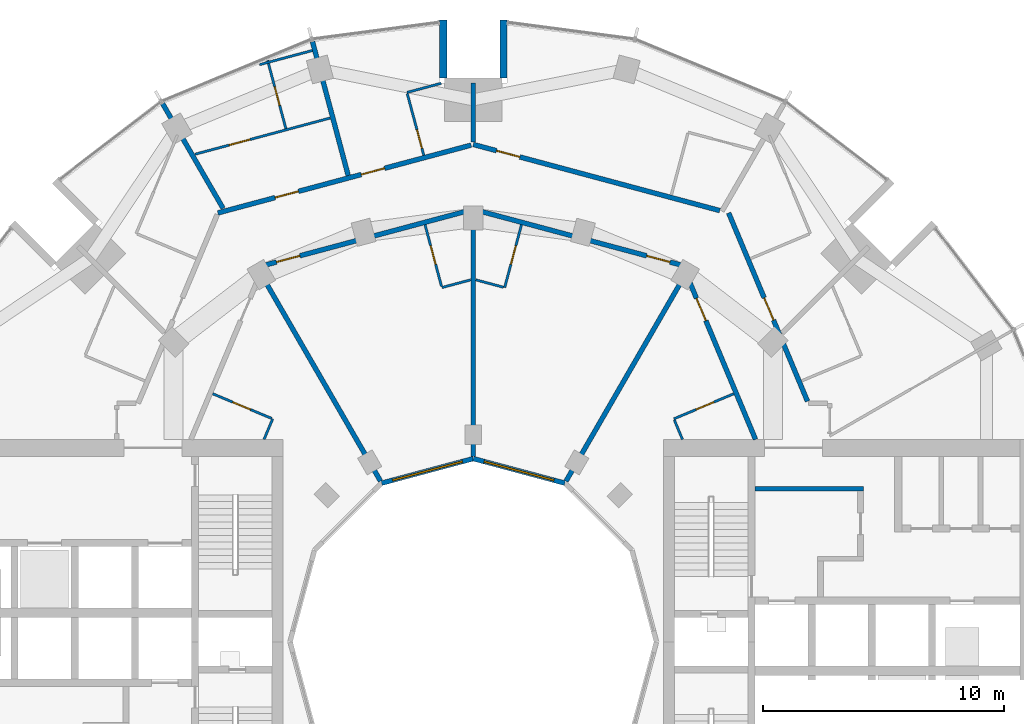
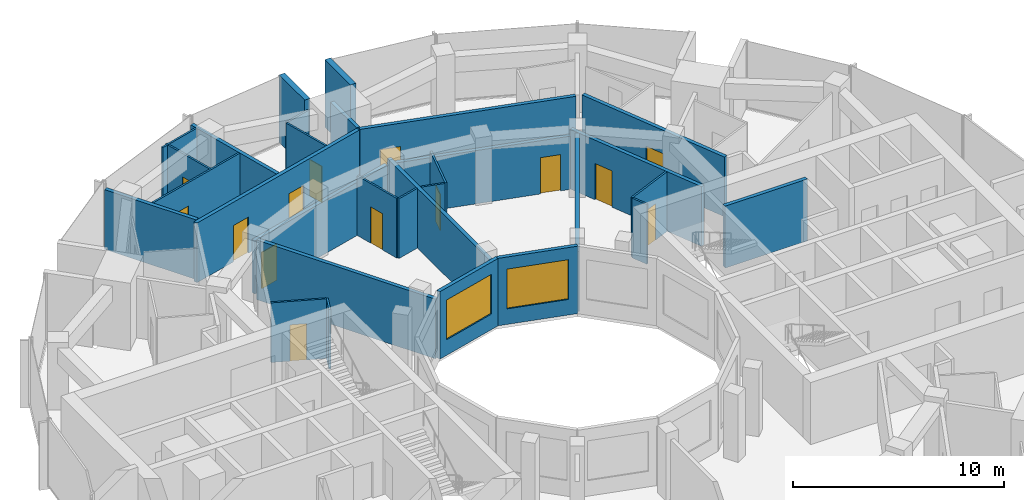
# One storey, part 12 of 15: 30 walls, 14 doors, 2 windows, 16 openings.
"""IFC4 building model written with IfcOpenShell, lengths in metres."""

from ifc_helpers import new_model, si_unit, direction, frame, frame_2d, origin, place, context, subcontext, project, spatial, rectangle, extrude, material, layer, layer_set, type_object, element, fill, save


model = new_model("IFC4")

# Units and contexts
model_context = context("Model", 3, precision=1e-05, world=origin(), true_north=direction((0.0, 1.0)))
body_context = subcontext(model_context, "Body", "Model", "MODEL_VIEW")
ifc_project = project(units=[si_unit("LENGTHUNIT", "METRE"), si_unit("AREAUNIT", "SQUARE_METRE"), si_unit("VOLUMEUNIT", "CUBIC_METRE"), si_unit("PLANEANGLEUNIT", "RADIAN"), si_unit("MASSUNIT", "GRAM", prefix="KILO")], contexts=[model_context])

# Site, building, storey
site_placement = place(None, origin())
site = spatial("IfcSite", under=ifc_project, at=site_placement, CompositionType="ELEMENT")
building_placement = place(site_placement, origin())
building = spatial("IfcBuilding", under=site, at=building_placement, Name="Torre Brocal", CompositionType="ELEMENT")
storey_placement = place(building_placement, frame((0.0, 0.0, 134.10009765625)))
storey = spatial("IfcBuildingStorey", under=building, at=storey_placement, Name="L31", CompositionType="ELEMENT", Elevation=134.10009765625)

# Walls
ifc_material_1 = material(Name="Concrete C70", Category="concrete")
ifc_layer_1 = layer(ifc_material_1, 0.199951171875)
ifc_layer_set_1 = layer_set([ifc_layer_1], Name="Concrete C70")
wall_type_1 = type_object("IfcWallType", Name="CORE WALL 200 C70", PredefinedType="SHEAR", material=ifc_layer_set_1)
wall_1_placement = place(storey_placement, frame((91.699951171875, 81.35009765625, 0.0), z_axis=(0.0, 0.0, 1.0), x_axis=(1.0, 0.0, 0.0)))
element("IfcWall", 1, at=wall_1_placement, inside=storey, type_object=wall_type_1, Name="Wall CW200-70", PredefinedType="SHEAR", context=body_context, shape_type="SweptSolid", body=[
    extrude(rectangle(XDim=4.5, YDim=0.199951171875, at=frame_2d((2.25, 0.0))), origin(), (0.0, 0.0, 1.0), 3.579833984375),
])
ifc_material_2 = material(Name="Concrete C70", Category="concrete")
ifc_layer_2 = layer(ifc_material_2, 0.300048828125)
ifc_layer_set_2 = layer_set([ifc_layer_2], Name="Concrete C70")
wall_type_2 = type_object("IfcWallType", Name="NOTCH RETURN WALL 300 C70", PredefinedType="NOTDEFINED", material=ifc_layer_set_2)
for number, where, z_axis, x_axis, name in (
    (2, (81.25, 98.39990234375, 0.0), (0.0, 0.0, 1.0), (0.0, 1.0, 0.0), "NOTCH RETURN WALL"),
    (3, (78.75, 98.39990234375, 0.0), (0.0, 0.0, 1.0), (0.0, 1.0, 0.0), "NOTCH RETURN WALL"),
):
    element("IfcWall", number, at=place(storey_placement, frame(where, z_axis=z_axis, x_axis=x_axis)), inside=storey, type_object=wall_type_2, Name=name, PredefinedType="NOTDEFINED", context=body_context, shape_type="SweptSolid", body=[
        extrude(rectangle(XDim=2.415771484375, YDim=0.300048828125, at=frame_2d((1.2080078125, 0.0))), origin(), (0.0, 0.0, 1.0), 3.89990234375),
    ])

# Wall, opening, door
ifc_material_3 = material(Name="Gypsum board", Category="Gypsum")
ifc_layer_3 = layer(ifc_material_3, 0.10009765625)
ifc_layer_set_3 = layer_set([ifc_layer_3], Name="Gypsum board")
wall_type_3 = type_object("IfcWallType", Name="PARTITION 100", PredefinedType="PARTITIONING", material=ifc_layer_set_3)
wall_2_placement = place(storey_placement, frame((68.447021484375, 95.2421875, 0.0), z_axis=(0.0, 0.0, 1.0), x_axis=(0.965958178477, 0.258698274894, 0.0)))
wall_2 = element("IfcWall", 4, at=wall_2_placement, inside=storey, type_object=wall_type_3, Name="BATHROOM WALL", PredefinedType="PARTITIONING", context=body_context, shape_type="SweptSolid", body=[
    extrude(rectangle(XDim=5.8095703125, YDim=0.10009765625, at=frame_2d((2.90478515625, 0.0))), origin(), (0.0, 0.0, 1.0), 3.449951171875),
])
opening_1_placement = place(wall_2_placement, frame((1.459716796875, 0.0, 0.0)))
opening_1 = element("IfcOpeningElement", 5, at=opening_1_placement, cuts=wall_2, Name="Opening E02-D11", PredefinedType="OPENING", context=body_context, shape_type="SweptSolid", body=[
    extrude(rectangle(XDim=0.89990234375, YDim=2.10009765625, at=frame_2d((0.449951171875, 1.050048828125))), frame((0.0, 0.06005859375, 0.0), z_axis=(0.0, -1.0, 0.0), x_axis=(1.0, 0.0, 0.0)), (0.0, 0.0, 1.0), 0.1201171875),
])
ifc_material_4 = material(Name="Timber", Category="wood")
door_type_1 = type_object("IfcDoorType", Name="ROOM DOOR 900X2100", OperationType="SINGLE_SWING_LEFT", PredefinedType="DOOR", material=ifc_material_4)
door_1_placement = place(opening_1_placement, origin())
door_1 = element("IfcDoor", 6, at=door_1_placement, inside=storey, type_object=door_type_1, Name="E02-D11", OperationType="SINGLE_SWING_RIGHT", OverallHeight=2.10009765625, OverallWidth=0.89990234375, PredefinedType="DOOR", context=body_context, shape_type="SweptSolid", body=[
    extrude(rectangle(XDim=0.89990234375, YDim=2.10009765625, at=frame_2d((0.449951171875, 1.050048828125))), frame((0.0, 0.02490234375, 0.0), z_axis=(0.0, -1.0, 0.0), x_axis=(1.0, 0.0, 0.0)), (0.0, 0.0, 1.0), 0.050048828125),
])
fill(opening_1, door_1)

wall_3_placement = place(storey_placement, frame((69.1806640625, 85.298095703125, 0.0), z_axis=(0.0, 0.0, 1.0), x_axis=(0.922377635784, -0.38628939541, 0.0)))
wall_3 = element("IfcWall", 7, at=wall_3_placement, inside=storey, type_object=wall_type_3, Name="BATHROOM WALL", PredefinedType="PARTITIONING", context=body_context, shape_type="SweptSolid", body=[
    extrude(rectangle(XDim=2.650146484375, YDim=0.10009765625, at=frame_2d((1.3251953125, 0.0))), origin(), (0.0, 0.0, 1.0), 3.449951171875),
])
opening_2_placement = place(wall_3_placement, frame((0.89990234375, 0.0, 0.0)))
opening_2 = element("IfcOpeningElement", 8, at=opening_2_placement, cuts=wall_3, Name="Opening E02-D24", PredefinedType="OPENING", context=body_context, shape_type="SweptSolid", body=[
    extrude(rectangle(XDim=0.800048828125, YDim=2.10009765625, at=frame_2d((0.39990234375, 1.050048828125))), frame((0.0, 0.06005859375, 0.0), z_axis=(0.0, -1.0, 0.0), x_axis=(1.0, 0.0, 0.0)), (0.0, 0.0, 1.0), 0.1201171875),
])
ifc_material_5 = material(Name="Timber", Category="wood")
door_type_2 = type_object("IfcDoorType", Name="BATHROOM DOOR 800X2100", OperationType="SINGLE_SWING_LEFT", PredefinedType="DOOR", material=ifc_material_5)
door_2_placement = place(opening_2_placement, frame((0.800048828125, 0.0, 0.0), z_axis=(0.0, 0.0, 1.0), x_axis=(-1.0, 0.0, 0.0)))
door_2 = element("IfcDoor", 9, at=door_2_placement, inside=storey, type_object=door_type_2, Name="E02-D24", OperationType="SINGLE_SWING_RIGHT", OverallHeight=2.10009765625, OverallWidth=0.800048828125, PredefinedType="DOOR", context=body_context, shape_type="SweptSolid", body=[
    extrude(rectangle(XDim=0.800048828125, YDim=2.10009765625, at=frame_2d((0.39990234375, 1.050048828125))), frame((0.0, 0.02490234375, 0.0), z_axis=(0.0, -1.0, 0.0), x_axis=(1.0, 0.0, 0.0)), (0.0, 0.0, 1.0), 0.050048828125),
])
fill(opening_2, door_2)

# Wall
wall_4_placement = place(storey_placement, frame((71.31298828125, 83.39990234375, 0.0), z_axis=(0.0, 0.0, 1.0), x_axis=(0.386148512695, 0.922436624459, 0.0)))
element("IfcWall", 10, at=wall_4_placement, inside=storey, type_object=wall_type_3, Name="BATHROOM WALL", PredefinedType="PARTITIONING", context=body_context, shape_type="SweptSolid", body=[
    extrude(rectangle(XDim=0.9267578125, YDim=0.10009765625, at=frame_2d((0.46337890625, 0.0))), origin(), (0.0, 0.0, 1.0), 3.449951171875),
])

# Wall, opening, door
wall_5_placement = place(storey_placement, frame((71.459228515625, 99.14697265625, 0.0), z_axis=(0.0, 0.0, 1.0), x_axis=(0.258550824249, -0.965997655939, 0.0)))
wall_5 = element("IfcWall", 11, at=wall_5_placement, inside=storey, type_object=wall_type_3, Name="BATHROOM WALL", PredefinedType="PARTITIONING", context=body_context, shape_type="SweptSolid", body=[
    extrude(rectangle(XDim=2.9423828125, YDim=0.10009765625, at=frame_2d((1.47119140625, 0.0))), origin(), (0.0, 0.0, 1.0), 3.449951171875),
])
opening_3_placement = place(wall_5_placement, frame((1.142578125, 0.0, 0.0)))
opening_3 = element("IfcOpeningElement", 12, at=opening_3_placement, cuts=wall_5, Name="Opening E02-D12", PredefinedType="OPENING", context=body_context, shape_type="SweptSolid", body=[
    extrude(rectangle(XDim=0.800048828125, YDim=2.10009765625, at=frame_2d((0.39990234375, 1.050048828125))), frame((0.0, 0.06005859375, 0.0), z_axis=(0.0, -1.0, 0.0), x_axis=(1.0, 0.0, 0.0)), (0.0, 0.0, 1.0), 0.1201171875),
])
door_3_placement = place(opening_3_placement, origin())
door_3 = element("IfcDoor", 13, at=door_3_placement, inside=storey, type_object=door_type_2, Name="E02-D12", OperationType="SINGLE_SWING_RIGHT", OverallHeight=2.10009765625, OverallWidth=0.800048828125, PredefinedType="DOOR", context=body_context, shape_type="SweptSolid", body=[
    extrude(rectangle(XDim=0.800048828125, YDim=2.10009765625, at=frame_2d((0.39990234375, 1.050048828125))), frame((0.0, 0.02490234375, 0.0), z_axis=(0.0, -1.0, 0.0), x_axis=(1.0, 0.0, 0.0)), (0.0, 0.0, 1.0), 0.050048828125),
])
fill(opening_3, door_3)

# Wall
wall_6_placement = place(storey_placement, frame((71.12646484375, 98.962646484375, 0.0), z_axis=(0.0, 0.0, 1.0), x_axis=(0.966023883118, 0.258452814352, 0.0)))
element("IfcWall", 14, at=wall_6_placement, inside=storey, type_object=wall_type_3, Name="BATHROOM WALL", PredefinedType="PARTITIONING", context=body_context, shape_type="SweptSolid", body=[
    extrude(rectangle(XDim=2.26904296875, YDim=0.10009765625, at=frame_2d((1.134521484375, 0.0))), origin(), (0.0, 0.0, 1.0), 3.449951171875),
])

# Wall, opening, door
wall_7_placement = place(storey_placement, frame((77.260009765625, 97.7587890625, 0.0), z_axis=(0.0, 0.0, 1.0), x_axis=(0.258935674139, -0.965894568086, 0.0)))
wall_7 = element("IfcWall", 15, at=wall_7_placement, inside=storey, type_object=wall_type_3, Name="BATHROOM WALL", PredefinedType="PARTITIONING", context=body_context, shape_type="SweptSolid", body=[
    extrude(rectangle(XDim=2.6494140625, YDim=0.10009765625, at=frame_2d((1.32470703125, 0.0))), origin(), (0.0, 0.0, 1.0), 3.449951171875),
])
opening_4_placement = place(wall_7_placement, frame((1.5498046875, 0.0, 0.0)))
opening_4 = element("IfcOpeningElement", 16, at=opening_4_placement, cuts=wall_7, Name="Opening E02-D09", PredefinedType="OPENING", context=body_context, shape_type="SweptSolid", body=[
    extrude(rectangle(XDim=0.800048828125, YDim=2.10009765625, at=frame_2d((0.39990234375, 1.050048828125))), frame((0.0, 0.06005859375, 0.0), z_axis=(0.0, -1.0, 0.0), x_axis=(1.0, 0.0, 0.0)), (0.0, 0.0, 1.0), 0.1201171875),
])
door_4_placement = place(opening_4_placement, origin())
door_4 = element("IfcDoor", 17, at=door_4_placement, inside=storey, type_object=door_type_2, Name="E02-D09", OperationType="SINGLE_SWING_RIGHT", OverallHeight=2.10009765625, OverallWidth=0.800048828125, PredefinedType="DOOR", context=body_context, shape_type="SweptSolid", body=[
    extrude(rectangle(XDim=0.800048828125, YDim=2.10009765625, at=frame_2d((0.39990234375, 1.050048828125))), frame((0.0, 0.02490234375, 0.0), z_axis=(0.0, -1.0, 0.0), x_axis=(1.0, 0.0, 0.0)), (0.0, 0.0, 1.0), 0.050048828125),
])
fill(opening_4, door_4)

# Wall
wall_8_placement = place(storey_placement, frame((77.2470703125, 97.806884765625, 0.0), z_axis=(0.0, 0.0, 1.0), x_axis=(0.965900598974, 0.258913176376, 0.0)))
element("IfcWall", 18, at=wall_8_placement, inside=storey, type_object=wall_type_3, Name="BATHROOM WALL", PredefinedType="PARTITIONING", context=body_context, shape_type="SweptSolid", body=[
    extrude(rectangle(XDim=1.469970703125, YDim=0.10009765625, at=frame_2d((0.73486328125, 0.0))), origin(), (0.0, 0.0, 1.0), 3.449951171875),
])

# Wall, opening, door
wall_9_placement = place(storey_placement, frame((77.997802734375, 92.314208984375, 0.0), z_axis=(0.0, 0.0, 1.0), x_axis=(0.258608674509, -0.965982170368, 0.0)))
wall_9 = element("IfcWall", 19, at=wall_9_placement, inside=storey, type_object=wall_type_3, Name="BATHROOM WALL", PredefinedType="PARTITIONING", context=body_context, shape_type="SweptSolid", body=[
    extrude(rectangle(XDim=2.64990234375, YDim=0.10009765625, at=frame_2d((1.324951171875, 0.0))), origin(), (0.0, 0.0, 1.0), 3.449951171875),
])
opening_5_placement = place(wall_9_placement, frame((0.89990234375, 0.0, 0.0)))
opening_5 = element("IfcOpeningElement", 20, at=opening_5_placement, cuts=wall_9, Name="Opening E02-D22", PredefinedType="OPENING", context=body_context, shape_type="SweptSolid", body=[
    extrude(rectangle(XDim=0.800048828125, YDim=2.10009765625, at=frame_2d((0.39990234375, 1.050048828125))), frame((0.0, 0.06005859375, 0.0), z_axis=(0.0, -1.0, 0.0), x_axis=(1.0, 0.0, 0.0)), (0.0, 0.0, 1.0), 0.1201171875),
])
door_5_placement = place(opening_5_placement, origin())
door_5 = element("IfcDoor", 21, at=door_5_placement, inside=storey, type_object=door_type_2, Name="E02-D22", OperationType="SINGLE_SWING_LEFT", OverallHeight=2.10009765625, OverallWidth=0.800048828125, PredefinedType="DOOR", context=body_context, shape_type="SweptSolid", body=[
    extrude(rectangle(XDim=0.800048828125, YDim=2.10009765625, at=frame_2d((0.39990234375, 1.050048828125))), frame((0.0, 0.02490234375, 0.0), z_axis=(0.0, -1.0, 0.0), x_axis=(1.0, 0.0, 0.0)), (0.0, 0.0, 1.0), 0.050048828125),
])
fill(opening_5, door_5)

# Walls
wall_10_placement = place(storey_placement, frame((78.696044921875, 89.7060546875, 0.0), z_axis=(0.0, 0.0, 1.0), x_axis=(0.966002513606, 0.258532674351, 0.0)))
element("IfcWall", 22, at=wall_10_placement, inside=storey, type_object=wall_type_3, Name="BATHROOM WALL", PredefinedType="PARTITIONING", context=body_context, shape_type="SweptSolid", body=[
    extrude(rectangle(XDim=1.239990234375, YDim=0.10009765625, at=frame_2d((0.6201171875, 0.0))), origin(), (0.0, 0.0, 1.0), 3.449951171875),
])
wall_11_placement = place(storey_placement, frame((80.106201171875, 90.026611328125, 0.0), z_axis=(0.0, 0.0, 1.0), x_axis=(0.966002973184, -0.258530957139, 0.0)))
element("IfcWall", 23, at=wall_11_placement, inside=storey, type_object=wall_type_3, Name="BATHROOM WALL", PredefinedType="PARTITIONING", context=body_context, shape_type="SweptSolid", body=[
    extrude(rectangle(XDim=1.18994140625, YDim=0.10009765625, at=frame_2d((0.594970703125, 0.0))), origin(), (0.0, 0.0, 1.0), 3.449951171875),
])

# Wall, opening, door
wall_12_placement = place(storey_placement, frame((81.303955078125, 89.7060546875, 0.0), z_axis=(0.0, 0.0, 1.0), x_axis=(0.258608022684, 0.965982344872, 0.0)))
wall_12 = element("IfcWall", 24, at=wall_12_placement, inside=storey, type_object=wall_type_3, Name="BATHROOM WALL", PredefinedType="PARTITIONING", context=body_context, shape_type="SweptSolid", body=[
    extrude(rectangle(XDim=2.699951171875, YDim=0.10009765625, at=frame_2d((1.35009765625, 0.0))), origin(), (0.0, 0.0, 1.0), 3.449951171875),
])
opening_6_placement = place(wall_12_placement, frame((1.0, 0.0, 0.0)))
opening_6 = element("IfcOpeningElement", 25, at=opening_6_placement, cuts=wall_12, Name="Opening E02-D20", PredefinedType="OPENING", context=body_context, shape_type="SweptSolid", body=[
    extrude(rectangle(XDim=0.800048828125, YDim=2.10009765625, at=frame_2d((0.39990234375, 1.050048828125))), frame((0.0, 0.06005859375, 0.0), z_axis=(0.0, -1.0, 0.0), x_axis=(1.0, 0.0, 0.0)), (0.0, 0.0, 1.0), 0.1201171875),
])
door_6_placement = place(opening_6_placement, origin())
door_6 = element("IfcDoor", 26, at=door_6_placement, inside=storey, type_object=door_type_2, Name="E02-D20", OperationType="SINGLE_SWING_RIGHT", OverallHeight=2.10009765625, OverallWidth=0.800048828125, PredefinedType="DOOR", context=body_context, shape_type="SweptSolid", body=[
    extrude(rectangle(XDim=0.800048828125, YDim=2.10009765625, at=frame_2d((0.39990234375, 1.050048828125))), frame((0.0, 0.02490234375, 0.0), z_axis=(0.0, -1.0, 0.0), x_axis=(1.0, 0.0, 0.0)), (0.0, 0.0, 1.0), 0.050048828125),
])
fill(opening_6, door_6)

# Wall
wall_13_placement = place(storey_placement, frame((88.348388671875, 84.208984375, 0.0), z_axis=(0.0, 0.0, 1.0), x_axis=(0.386077497504, -0.922466349479, 0.0)))
element("IfcWall", 27, at=wall_13_placement, inside=storey, type_object=wall_type_3, Name="BATHROOM WALL", PredefinedType="PARTITIONING", context=body_context, shape_type="SweptSolid", body=[
    extrude(rectangle(XDim=0.877197265625, YDim=0.10009765625, at=frame_2d((0.4384765625, 0.0))), origin(), (0.0, 0.0, 1.0), 3.449951171875),
])

# Wall, opening, door
wall_14_placement = place(storey_placement, frame((88.3291015625, 84.2548828125, 0.0), z_axis=(0.0, 0.0, 1.0), x_axis=(0.922320663728, 0.386425404522, 0.0)))
wall_14 = element("IfcWall", 28, at=wall_14_placement, inside=storey, type_object=wall_type_3, Name="BATHROOM WALL", PredefinedType="PARTITIONING", context=body_context, shape_type="SweptSolid", body=[
    extrude(rectangle(XDim=2.690185546875, YDim=0.10009765625, at=frame_2d((1.34521484375, 0.0))), origin(), (0.0, 0.0, 1.0), 3.449951171875),
])
opening_7_placement = place(wall_14_placement, frame((1.000244140625, 0.0, 0.0)))
opening_7 = element("IfcOpeningElement", 29, at=opening_7_placement, cuts=wall_14, Name="Opening E02-D18", PredefinedType="OPENING", context=body_context, shape_type="SweptSolid", body=[
    extrude(rectangle(XDim=0.800048828125, YDim=2.10009765625, at=frame_2d((0.39990234375, 1.050048828125))), frame((0.0, 0.06005859375, 0.0), z_axis=(0.0, -1.0, 0.0), x_axis=(1.0, 0.0, 0.0)), (0.0, 0.0, 1.0), 0.1201171875),
])
door_7_placement = place(opening_7_placement, frame((0.800048828125, 0.0, 0.0), z_axis=(0.0, 0.0, 1.0), x_axis=(-1.0, 0.0, 0.0)))
door_7 = element("IfcDoor", 30, at=door_7_placement, inside=storey, type_object=door_type_2, Name="E02-D18", OperationType="SINGLE_SWING_LEFT", OverallHeight=2.10009765625, OverallWidth=0.800048828125, PredefinedType="DOOR", context=body_context, shape_type="SweptSolid", body=[
    extrude(rectangle(XDim=0.800048828125, YDim=2.10009765625, at=frame_2d((0.39990234375, 1.050048828125))), frame((0.0, 0.02490234375, 0.0), z_axis=(0.0, -1.0, 0.0), x_axis=(1.0, 0.0, 0.0)), (0.0, 0.0, 1.0), 0.050048828125),
])
fill(opening_7, door_7)

# Wall
ifc_material_6 = material(Name="Gypsum board", Category="Gypsum")
ifc_layer_4 = layer(ifc_material_6, 0.199951171875)
ifc_layer_set_4 = layer_set([ifc_layer_4], Name="Gypsum board")
wall_type_4 = type_object("IfcWallType", Name="PARTITION 200 EI60", PredefinedType="PARTITIONING", material=ifc_layer_set_4)
wall_15_placement = place(storey_placement, frame((67.103515625, 97.3427734375, 0.0), z_axis=(0.0, 0.0, 1.0), x_axis=(0.499893606134, -0.866086821598, 0.0)))
element("IfcWall", 31, at=wall_15_placement, inside=storey, type_object=wall_type_4, Name="BATHROOM WALL", PredefinedType="PARTITIONING", context=body_context, shape_type="SweptSolid", body=[
    extrude(rectangle(XDim=5.021484375, YDim=0.199951171875, at=frame_2d((2.5107421875, 0.0))), origin(), (0.0, 0.0, 1.0), 3.449951171875),
])

# Wall, openings, doors
wall_16_placement = place(storey_placement, frame((69.39697265625, 92.805419921875, 0.0), z_axis=(0.0, 0.0, 1.0), x_axis=(0.965971666602, 0.258647906087, 0.0)))
wall_16 = element("IfcWall", 32, at=wall_16_placement, inside=storey, type_object=wall_type_4, Name="FLAT ENTRANCE WALL", PredefinedType="PARTITIONING", context=body_context, shape_type="SweptSolid", body=[
    extrude(rectangle(XDim=10.886962890625, YDim=0.199951171875, at=frame_2d((5.443359375, 0.0))), origin(), (0.0, 0.0, 1.0), 3.449951171875),
])
opening_8_placement = place(wall_16_placement, frame((6.163330078125, 0.0, 0.0)))
opening_8 = element("IfcOpeningElement", 33, at=opening_8_placement, cuts=wall_16, Name="Opening E02-D08", PredefinedType="OPENING", context=body_context, shape_type="SweptSolid", body=[
    extrude(rectangle(XDim=1.0, YDim=2.10009765625, at=frame_2d((0.5, 1.050048828125))), frame((0.0, 0.10986328125, 0.0), z_axis=(0.0, -1.0, 0.0), x_axis=(1.0, 0.0, 0.0)), (0.0, 0.0, 1.0), 0.219970703125),
])
opening_9_placement = place(wall_16_placement, frame((2.4609375, 0.0, 0.0)))
opening_9 = element("IfcOpeningElement", 34, at=opening_9_placement, cuts=wall_16, Name="Opening E02-D10", PredefinedType="OPENING", context=body_context, shape_type="SweptSolid", body=[
    extrude(rectangle(XDim=1.0, YDim=2.10009765625, at=frame_2d((0.5, 1.050048828125))), frame((0.0, 0.10986328125, 0.0), z_axis=(0.0, -1.0, 0.0), x_axis=(1.0, 0.0, 0.0)), (0.0, 0.0, 1.0), 0.219970703125),
])
ifc_material_7 = material(Name="Timber", Category="wood")
door_type_3 = type_object("IfcDoorType", Name="FLAT ENTRY DOOR FD30S 1000X2100", OperationType="SINGLE_SWING_RIGHT", PredefinedType="DOOR", material=ifc_material_7)
door_8_placement = place(opening_8_placement, origin())
door_8 = element("IfcDoor", 35, at=door_8_placement, inside=storey, type_object=door_type_3, Name="E02-D08", OperationType="SINGLE_SWING_LEFT", OverallHeight=2.10009765625, OverallWidth=1.0, PredefinedType="DOOR", context=body_context, shape_type="SweptSolid", body=[
    extrude(rectangle(XDim=1.0, YDim=2.10009765625, at=frame_2d((0.5, 1.050048828125))), frame((0.0, 0.02490234375, 0.0), z_axis=(0.0, -1.0, 0.0), x_axis=(1.0, 0.0, 0.0)), (0.0, 0.0, 1.0), 0.050048828125),
])
fill(opening_8, door_8)
door_9_placement = place(opening_9_placement, origin())
door_9 = element("IfcDoor", 36, at=door_9_placement, inside=storey, type_object=door_type_3, Name="E02-D10", OperationType="SINGLE_SWING_RIGHT", OverallHeight=2.10009765625, OverallWidth=1.0, PredefinedType="DOOR", context=body_context, shape_type="SweptSolid", body=[
    extrude(rectangle(XDim=1.0, YDim=2.10009765625, at=frame_2d((0.5, 1.050048828125))), frame((0.0, 0.02490234375, 0.0), z_axis=(0.0, -1.0, 0.0), x_axis=(1.0, 0.0, 0.0)), (0.0, 0.0, 1.0), 0.050048828125),
])
fill(opening_9, door_9)

# Walls
wall_17_placement = place(storey_placement, frame((71.263427734375, 90.13525390625, 0.0), z_axis=(0.0, 0.0, 1.0), x_axis=(0.499869438034, -0.86610077065, 0.0)))
element("IfcWall", 37, at=wall_17_placement, inside=storey, type_object=wall_type_4, Name="PARTY PARTITION", PredefinedType="PARTITIONING", context=body_context, shape_type="SweptSolid", body=[
    extrude(rectangle(XDim=9.77734375, YDim=0.199951171875, at=frame_2d((4.888671875, 0.0))), origin(), (0.0, 0.0, 1.0), 3.449951171875),
])
wall_18_placement = place(storey_placement, frame((73.32373046875, 99.91943359375, 0.0), z_axis=(0.0, 0.0, 1.0), x_axis=(0.257855371794, -0.966183526685, 0.0)))
element("IfcWall", 38, at=wall_18_placement, inside=storey, type_object=wall_type_4, Name="BATHROOM WALL", PredefinedType="PARTITIONING", context=body_context, shape_type="SweptSolid", body=[
    extrude(rectangle(XDim=5.755615234375, YDim=0.199951171875, at=frame_2d((2.8779296875, 0.0))), origin(), (0.0, 0.0, 1.0), 3.449951171875),
])
wall_19_placement = place(storey_placement, frame((80.0, 82.698974609375, 0.0), z_axis=(0.0, 0.0, 1.0), x_axis=(0.0, 1.0, 0.0)))
element("IfcWall", 39, at=wall_19_placement, inside=storey, type_object=wall_type_4, Name="BATHROOM WALL", PredefinedType="PARTITIONING", context=body_context, shape_type="SweptSolid", body=[
    extrude(rectangle(XDim=10.125, YDim=0.199951171875, at=frame_2d((5.0625, 0.0))), origin(), (0.0, 0.0, 1.0), 3.449951171875),
])
wall_20_placement = place(storey_placement, frame((80.0, 95.7470703125, 0.0), z_axis=(0.0, 0.0, 1.0), x_axis=(0.0, 1.0, 0.0)))
element("IfcWall", 40, at=wall_20_placement, inside=storey, type_object=wall_type_4, Name="BATHROOM WALL", PredefinedType="PARTITIONING", context=body_context, shape_type="SweptSolid", body=[
    extrude(rectangle(XDim=2.451904296875, YDim=0.199951171875, at=frame_2d((1.22607421875, 0.0))), origin(), (0.0, 0.0, 1.0), 3.449951171875),
])

# Wall, opening, door
wall_21_placement = place(storey_placement, frame((80.00048828125, 95.64794921875, 0.0), z_axis=(0.0, 0.0, 1.0), x_axis=(0.965852259202, -0.259093445292, 0.0)))
wall_21 = element("IfcWall", 41, at=wall_21_placement, inside=storey, type_object=wall_type_4, Name="GUESTROOM CORRIDOR WALL", PredefinedType="PARTITIONING", context=body_context, shape_type="SweptSolid", body=[
    extrude(rectangle(XDim=10.596923828125, YDim=0.199951171875, at=frame_2d((5.29833984375, 0.0))), origin(), (0.0, 0.0, 1.0), 3.449951171875),
])
opening_10_placement = place(wall_21_placement, frame((1.0, 0.0, 0.0)))
opening_10 = element("IfcOpeningElement", 42, at=opening_10_placement, cuts=wall_21, Name="Opening E02-D06", PredefinedType="OPENING", context=body_context, shape_type="SweptSolid", body=[
    extrude(rectangle(XDim=1.0, YDim=2.10009765625, at=frame_2d((0.5, 1.050048828125))), frame((0.0, 0.10986328125, 0.0), z_axis=(0.0, -1.0, 0.0), x_axis=(1.0, 0.0, 0.0)), (0.0, 0.0, 1.0), 0.219970703125),
])
door_10_placement = place(opening_10_placement, origin())
door_10 = element("IfcDoor", 43, at=door_10_placement, inside=storey, type_object=door_type_3, Name="E02-D06", OperationType="SINGLE_SWING_LEFT", OverallHeight=2.10009765625, OverallWidth=1.0, PredefinedType="DOOR", context=body_context, shape_type="SweptSolid", body=[
    extrude(rectangle(XDim=1.0, YDim=2.10009765625, at=frame_2d((0.5, 1.050048828125))), frame((0.0, 0.02490234375, 0.0), z_axis=(0.0, -1.0, 0.0), x_axis=(1.0, 0.0, 0.0)), (0.0, 0.0, 1.0), 0.050048828125),
])
fill(opening_10, door_10)

# Wall
wall_22_placement = place(storey_placement, frame((83.849609375, 81.666748046875, 0.0), z_axis=(0.0, 0.0, 1.0), x_axis=(0.500092047414, 0.865972253663, 0.0)))
element("IfcWall", 44, at=wall_22_placement, inside=storey, type_object=wall_type_4, Name="PARTY PARTITION", PredefinedType="PARTITIONING", context=body_context, shape_type="SweptSolid", body=[
    extrude(rectangle(XDim=9.777587890625, YDim=0.199951171875, at=frame_2d((4.888671875, 0.0))), origin(), (0.0, 0.0, 1.0), 3.449951171875),
])

# Wall, opening, door
wall_23_placement = place(storey_placement, frame((88.69775390625, 90.624267578125, 0.0), z_axis=(0.0, 0.0, 1.0), x_axis=(0.386027055918, -0.922487459047, 0.0)))
wall_23 = element("IfcWall", 45, at=wall_23_placement, inside=storey, type_object=wall_type_4, Name="GUESTROOM CORRIDOR WALL", PredefinedType="PARTITIONING", context=body_context, shape_type="SweptSolid", body=[
    extrude(rectangle(XDim=7.832275390625, YDim=0.199951171875, at=frame_2d((3.916015625, 0.0))), origin(), (0.0, 0.0, 1.0), 3.449951171875),
])
opening_11_placement = place(wall_23_placement, frame((1.481689453125, 0.0, 0.0)))
opening_11 = element("IfcOpeningElement", 46, at=opening_11_placement, cuts=wall_23, Name="Opening E02-D17", PredefinedType="OPENING", context=body_context, shape_type="SweptSolid", body=[
    extrude(rectangle(XDim=1.0, YDim=2.10009765625, at=frame_2d((0.5, 1.050048828125))), frame((0.0, 0.10986328125, 0.0), z_axis=(0.0, -1.0, 0.0), x_axis=(1.0, 0.0, 0.0)), (0.0, 0.0, 1.0), 0.219970703125),
])
door_11_placement = place(opening_11_placement, frame((1.0, 0.0, 0.0), z_axis=(0.0, 0.0, 1.0), x_axis=(-1.0, 0.0, 0.0)))
door_11 = element("IfcDoor", 47, at=door_11_placement, inside=storey, type_object=door_type_3, Name="E02-D17", OperationType="SINGLE_SWING_RIGHT", OverallHeight=2.10009765625, OverallWidth=1.0, PredefinedType="DOOR", context=body_context, shape_type="SweptSolid", body=[
    extrude(rectangle(XDim=1.0, YDim=2.10009765625, at=frame_2d((0.5, 1.050048828125))), frame((0.0, 0.02490234375, 0.0), z_axis=(0.0, -1.0, 0.0), x_axis=(1.0, 0.0, 0.0)), (0.0, 0.0, 1.0), 0.050048828125),
])
fill(opening_11, door_11)

wall_24_placement = place(storey_placement, frame((90.603515625, 92.80517578125, 0.0), z_axis=(0.0, 0.0, 1.0), x_axis=(0.386199042801, -0.922415470024, 0.0)))
wall_24 = element("IfcWall", 48, at=wall_24_placement, inside=storey, type_object=wall_type_4, Name="GUESTROOM CORRIDOR WALL", PredefinedType="PARTITIONING", context=body_context, shape_type="SweptSolid", body=[
    extrude(rectangle(XDim=8.48046875, YDim=0.199951171875, at=frame_2d((4.240234375, 0.0))), origin(), (0.0, 0.0, 1.0), 3.449951171875),
])
opening_12_placement = place(wall_24_placement, frame((3.822998046875, 0.0, 0.0)))
opening_12 = element("IfcOpeningElement", 49, at=opening_12_placement, cuts=wall_24, Name="Opening E02-D04", PredefinedType="OPENING", context=body_context, shape_type="SweptSolid", body=[
    extrude(rectangle(XDim=1.0, YDim=2.10009765625, at=frame_2d((0.5, 1.050048828125))), frame((0.0, 0.10986328125, 0.0), z_axis=(0.0, -1.0, 0.0), x_axis=(1.0, 0.0, 0.0)), (0.0, 0.0, 1.0), 0.219970703125),
])
door_12_placement = place(opening_12_placement, origin())
door_12 = element("IfcDoor", 50, at=door_12_placement, inside=storey, type_object=door_type_3, Name="E02-D04", OperationType="SINGLE_SWING_RIGHT", OverallHeight=2.10009765625, OverallWidth=1.0, PredefinedType="DOOR", context=body_context, shape_type="SweptSolid", body=[
    extrude(rectangle(XDim=1.0, YDim=2.10009765625, at=frame_2d((0.5, 1.050048828125))), frame((0.0, 0.02490234375, 0.0), z_axis=(0.0, -1.0, 0.0), x_axis=(1.0, 0.0, 0.0)), (0.0, 0.0, 1.0), 0.050048828125),
])
fill(opening_12, door_12)

ifc_material_8 = material(Name="Gypsum board", Category="Gypsum")
ifc_layer_5 = layer(ifc_material_8, 0.199951171875)
ifc_layer_set_5 = layer_set([ifc_layer_5], Name="Gypsum board")
wall_type_5 = type_object("IfcWallType", Name="PARTITION 200 EI60 UNDER BEAM 820", PredefinedType="PARTITIONING", material=ifc_layer_set_5)
wall_25_placement = place(storey_placement, frame((71.302734375, 90.62451171875, 0.0), z_axis=(0.0, 0.0, 1.0), x_axis=(0.965971868307, 0.258647152776, 0.0)))
wall_25 = element("IfcWall", 51, at=wall_25_placement, inside=storey, type_object=wall_type_5, Name="GUESTROOM CORRIDOR WALL", PredefinedType="PARTITIONING", context=body_context, shape_type="SweptSolid", body=[
    extrude(rectangle(XDim=8.873779296875, YDim=0.199951171875, at=frame_2d((4.43701171875, 0.0))), origin(), (0.0, 0.0, 1.0), 3.079833984375),
])
opening_13_placement = place(wall_25_placement, frame((0.550048828125, 0.0, 0.0)))
opening_13 = element("IfcOpeningElement", 52, at=opening_13_placement, cuts=wall_25, Name="Opening E02-D21", PredefinedType="OPENING", context=body_context, shape_type="SweptSolid", body=[
    extrude(rectangle(XDim=1.0, YDim=2.10009765625, at=frame_2d((0.5, 1.050048828125))), frame((0.0, 0.10986328125, 0.0), z_axis=(0.0, -1.0, 0.0), x_axis=(1.0, 0.0, 0.0)), (0.0, 0.0, 1.0), 0.219970703125),
])
door_13_placement = place(opening_13_placement, frame((1.0, 0.0, 0.0), z_axis=(0.0, 0.0, 1.0), x_axis=(-1.0, 0.0, 0.0)))
door_13 = element("IfcDoor", 53, at=door_13_placement, inside=storey, type_object=door_type_3, Name="E02-D21", OperationType="SINGLE_SWING_RIGHT", OverallHeight=2.10009765625, OverallWidth=1.0, PredefinedType="DOOR", context=body_context, shape_type="SweptSolid", body=[
    extrude(rectangle(XDim=1.0, YDim=2.10009765625, at=frame_2d((0.5, 1.050048828125))), frame((0.0, 0.02490234375, 0.0), z_axis=(0.0, -1.0, 0.0), x_axis=(1.0, 0.0, 0.0)), (0.0, 0.0, 1.0), 0.050048828125),
])
fill(opening_13, door_13)

wall_26_placement = place(storey_placement, frame((80.0, 92.9541015625, 0.0), z_axis=(0.0, 0.0, 1.0), x_axis=(0.96592536278, -0.258820774936, 0.0)))
wall_26 = element("IfcWall", 54, at=wall_26_placement, inside=storey, type_object=wall_type_5, Name="GUESTROOM CORRIDOR WALL", PredefinedType="PARTITIONING", context=body_context, shape_type="SweptSolid", body=[
    extrude(rectangle(XDim=8.933837890625, YDim=0.199951171875, at=frame_2d((4.466796875, 0.0))), origin(), (0.0, 0.0, 1.0), 3.079833984375),
])
opening_14_placement = place(wall_26_placement, frame((7.45361328125, 0.0, 0.0)))
opening_14 = element("IfcOpeningElement", 55, at=opening_14_placement, cuts=wall_26, Name="Opening E02-D19", PredefinedType="OPENING", context=body_context, shape_type="SweptSolid", body=[
    extrude(rectangle(XDim=1.0, YDim=2.10009765625, at=frame_2d((0.5, 1.050048828125))), frame((0.0, 0.10986328125, 0.0), z_axis=(0.0, -1.0, 0.0), x_axis=(1.0, 0.0, 0.0)), (0.0, 0.0, 1.0), 0.219970703125),
])
door_14_placement = place(opening_14_placement, frame((1.0, 0.0, 0.0), z_axis=(0.0, 0.0, 1.0), x_axis=(-1.0, 0.0, 0.0)))
door_14 = element("IfcDoor", 56, at=door_14_placement, inside=storey, type_object=door_type_3, Name="E02-D19", OperationType="SINGLE_SWING_LEFT", OverallHeight=2.10009765625, OverallWidth=1.0, PredefinedType="DOOR", context=body_context, shape_type="SweptSolid", body=[
    extrude(rectangle(XDim=1.0, YDim=2.10009765625, at=frame_2d((0.5, 1.050048828125))), frame((0.0, 0.02490234375, 0.0), z_axis=(0.0, -1.0, 0.0), x_axis=(1.0, 0.0, 0.0)), (0.0, 0.0, 1.0), 0.050048828125),
])
fill(opening_14, door_14)

# Wall, opening, window
ifc_material_9 = material(Name="Concrete C40", Category="concrete")
ifc_layer_6 = layer(ifc_material_9, 0.199951171875)
ifc_layer_set_6 = layer_set([ifc_layer_6], Name="Concrete C40")
wall_type_6 = type_object("IfcWallType", Name="WELL FACADE WALL 200", PredefinedType="NOTDEFINED", material=ifc_layer_set_6)
wall_27_placement = place(storey_placement, frame((83.8017578125, 81.5849609375, 0.0), z_axis=(0.0, 0.0, 1.0), x_axis=(-0.965933654434, 0.258789828301, 0.0)))
wall_27 = element("IfcWall", 57, at=wall_27_placement, inside=storey, type_object=wall_type_6, Name="WELL FACADE WALL", PredefinedType="NOTDEFINED", context=body_context, shape_type="SweptSolid", body=[
    extrude(rectangle(XDim=3.935791015625, YDim=0.199951171875, at=frame_2d((1.9677734375, 0.0))), origin(), (0.0, 0.0, 1.0), 3.89990234375),
])
opening_15_placement = place(wall_27_placement, frame((0.468017578125, 0.0, 0.89990234375)))
opening_15 = element("IfcOpeningElement", 58, at=opening_15_placement, cuts=wall_27, Name="Opening W1", PredefinedType="OPENING", context=body_context, shape_type="SweptSolid", body=[
    extrude(rectangle(XDim=3.0, YDim=2.300048828125, at=frame_2d((1.5, 1.14990234375))), frame((0.0, 0.10986328125, 0.0), z_axis=(0.0, -1.0, 0.0), x_axis=(1.0, 0.0, 0.0)), (0.0, 0.0, 1.0), 0.219970703125),
])
ifc_material_10 = material(Name="Aluminium and glass", Category="aluminium")
window_type = type_object("IfcWindowType", Name="WELL WINDOW 3000X2300", PartitioningType="SINGLE_PANEL", PredefinedType="WINDOW", material=ifc_material_10)
window_1_placement = place(opening_15_placement, origin())
window_1 = element("IfcWindow", 59, at=window_1_placement, inside=storey, type_object=window_type, Name="WELL WINDOW 3000X2300", OverallHeight=2.300048828125, OverallWidth=3.0, PartitioningType="SINGLE_PANEL", PredefinedType="WINDOW", context=body_context, shape_type="SweptSolid", body=[
    extrude(rectangle(XDim=3.0, YDim=2.300048828125, at=frame_2d((1.5, 1.14990234375))), frame((0.0, 0.030029296875, 0.0), z_axis=(0.0, -1.0, 0.0), x_axis=(1.0, 0.0, 0.0)), (0.0, 0.0, 1.0), 0.06005859375),
])
fill(opening_15, window_1)

wall_28_placement = place(storey_placement, frame((80.0, 82.603515625, 0.0), z_axis=(0.0, 0.0, 1.0), x_axis=(-0.965933654434, -0.258789828301, 0.0)))
wall_28 = element("IfcWall", 60, at=wall_28_placement, inside=storey, type_object=wall_type_6, Name="WELL FACADE WALL", PredefinedType="NOTDEFINED", context=body_context, shape_type="SweptSolid", body=[
    extrude(rectangle(XDim=3.935791015625, YDim=0.199951171875, at=frame_2d((1.9677734375, 0.0))), origin(), (0.0, 0.0, 1.0), 3.89990234375),
])
opening_16_placement = place(wall_28_placement, frame((0.468017578125, 0.0, 0.89990234375)))
opening_16 = element("IfcOpeningElement", 61, at=opening_16_placement, cuts=wall_28, Name="Opening W1", PredefinedType="OPENING", context=body_context, shape_type="SweptSolid", body=[
    extrude(rectangle(XDim=3.0, YDim=2.300048828125, at=frame_2d((1.5, 1.14990234375))), frame((0.0, 0.10986328125, 0.0), z_axis=(0.0, -1.0, 0.0), x_axis=(1.0, 0.0, 0.0)), (0.0, 0.0, 1.0), 0.219970703125),
])
window_2_placement = place(opening_16_placement, origin())
window_2 = element("IfcWindow", 62, at=window_2_placement, inside=storey, type_object=window_type, Name="WELL WINDOW 3000X2300", OverallHeight=2.300048828125, OverallWidth=3.0, PartitioningType="SINGLE_PANEL", PredefinedType="WINDOW", context=body_context, shape_type="SweptSolid", body=[
    extrude(rectangle(XDim=3.0, YDim=2.300048828125, at=frame_2d((1.5, 1.14990234375))), frame((0.0, 0.030029296875, 0.0), z_axis=(0.0, -1.0, 0.0), x_axis=(1.0, 0.0, 0.0)), (0.0, 0.0, 1.0), 0.06005859375),
])
fill(opening_16, window_2)

save(model, "model.ifc")
